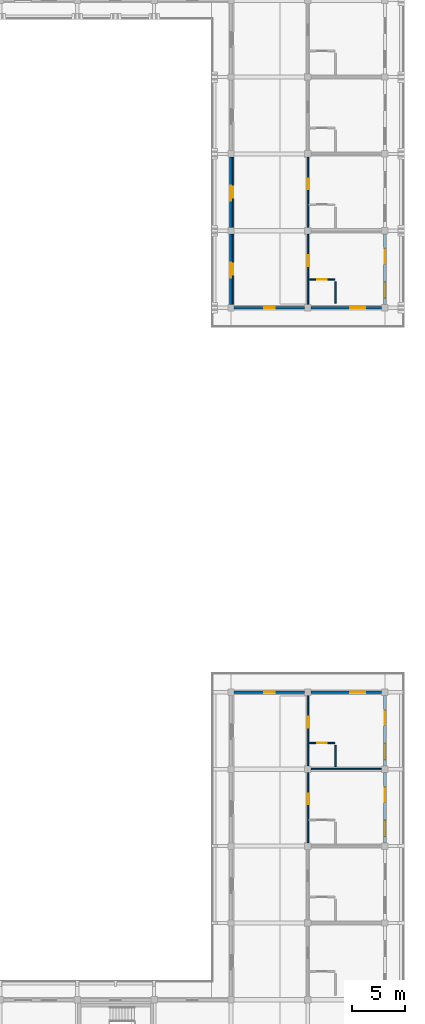
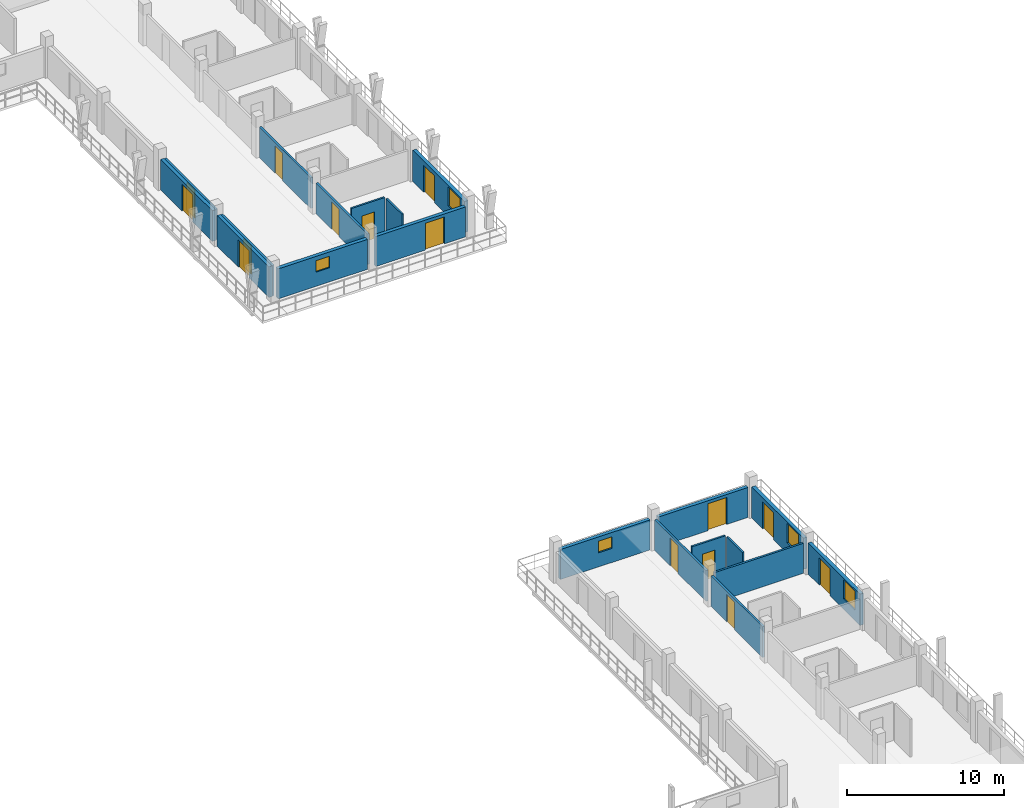
# One storey, part 56 of 78: 20 walls, 15 doors, 5 windows, 20 openings.
"""IFC4 building model written with IfcOpenShell, lengths in metres."""

from ifc_helpers import new_model, si_unit, direction, frame, frame_2d, origin, place, context, subcontext, project, spatial, rectangle, extrude, material, layer, layer_set, type_object, element, fill, save


model = new_model("IFC4")

# Units and contexts
model_context = context("Model", 3, precision=1e-05, world=origin(), true_north=direction((0.0, 1.0)))
body_context = subcontext(model_context, "Body", "Model", "MODEL_VIEW")
ifc_project = project(units=[si_unit("LENGTHUNIT", "METRE"), si_unit("AREAUNIT", "SQUARE_METRE"), si_unit("VOLUMEUNIT", "CUBIC_METRE"), si_unit("PLANEANGLEUNIT", "RADIAN"), si_unit("MASSUNIT", "GRAM", prefix="KILO")], contexts=[model_context])

# Site, building, storey
site_placement = place(None, origin())
site = spatial("IfcSite", under=ifc_project, at=site_placement, CompositionType="ELEMENT")
building_placement = place(site_placement, origin())
building = spatial("IfcBuilding", under=site, at=building_placement, Name="Suanplinth Sawtooth Commons", CompositionType="ELEMENT")
storey_placement = place(building_placement, frame((0.0, 0.0, 15.39990234375)))
storey = spatial("IfcBuildingStorey", under=building, at=storey_placement, Name="L04", CompositionType="ELEMENT", Elevation=15.39990234375)

# Wall, opening, window
ifc_material_1 = material(Name="Precast concrete C40/50", Category="concrete")
ifc_layer_1 = layer(ifc_material_1, 0.260009765625, Name="Insulated precast courtyard facade wall 260mm")
ifc_layer_set_1 = layer_set([ifc_layer_1], Name="Precast concrete C40/50")
wall_type_1 = type_object("IfcWallType", Name="W-EX02", PredefinedType="ELEMENTEDWALL", material=ifc_layer_set_1)
wall_1_placement = place(storey_placement, frame((173.10009765625, 79.199951171875, 0.0), z_axis=(0.0, 0.0, 1.0), x_axis=(1.0, 0.0, 0.0)))
wall_1 = element("IfcWall", 1, at=wall_1_placement, inside=storey, type_object=wall_type_1, Name="Facade Wall W-L04-B-S-24-11", PredefinedType="ELEMENTEDWALL", context=body_context, shape_type="SweptSolid", body=[
    extrude(rectangle(XDim=6.599853515625, YDim=0.260009765625, at=frame_2d((3.2998046875, 0.0))), origin(), (0.0, 0.0, 1.0), 2.335205078125),
])
opening_1_placement = place(wall_1_placement, frame((2.800048828125, 0.0, 1.10009765625)))
opening_1 = element("IfcOpeningElement", 2, at=opening_1_placement, cuts=wall_1, Name="Opening W0446", PredefinedType="OPENING", context=body_context, shape_type="SweptSolid", body=[
    extrude(rectangle(XDim=1.0, YDim=0.89990234375, at=frame_2d((0.5, 0.449951171875))), frame((0.0, 0.14501953125, 0.0), z_axis=(0.0, -1.0, 0.0), x_axis=(1.0, 0.0, 0.0)), (0.0, 0.0, 1.0), 0.289794921875),
])
ifc_material_2 = material(Name="Thermally broken aluminium and low-E double glazing", Category="aluminium")
window_type_1 = type_object("IfcWindowType", Name="WN-12", PartitioningType="SINGLE_PANEL", PredefinedType="WINDOW", material=ifc_material_2)
window_1_placement = place(opening_1_placement, origin())
window_1 = element("IfcWindow", 3, at=window_1_placement, inside=storey, type_object=window_type_1, Name="End Window L04-B-S-24-11", OverallHeight=0.89990234375, OverallWidth=1.0, PartitioningType="SINGLE_PANEL", PredefinedType="WINDOW", context=body_context, shape_type="SweptSolid", body=[
    extrude(rectangle(XDim=1.0, YDim=0.89990234375, at=frame_2d((0.5, 0.449951171875))), frame((0.0, 0.030029296875, 0.0), z_axis=(0.0, -1.0, 0.0), x_axis=(1.0, 0.0, 0.0)), (0.0, 0.0, 1.0), 0.06005859375),
])
fill(opening_1, window_1)

# Wall, opening, door
wall_2_placement = place(storey_placement, frame((172.800048828125, 79.5, 0.0), z_axis=(0.0, 0.0, 1.0), x_axis=(0.0, 1.0, 0.0)))
wall_2 = element("IfcWall", 4, at=wall_2_placement, inside=storey, type_object=wall_type_1, Name="Facade Wall W-L04-B-W-24-11", PredefinedType="ELEMENTEDWALL", context=body_context, shape_type="SweptSolid", body=[
    extrude(rectangle(XDim=6.60009765625, YDim=0.260009765625, at=frame_2d((3.300048828125, 0.0))), origin(), (0.0, 0.0, 1.0), 2.385009765625),
])
opening_2_placement = place(wall_2_placement, frame((2.5, 0.0, 0.0)))
opening_2 = element("IfcOpeningElement", 5, at=opening_2_placement, cuts=wall_2, Name="Opening ED0344", PredefinedType="OPENING", context=body_context, shape_type="SweptSolid", body=[
    extrude(rectangle(XDim=1.39990234375, YDim=2.10009765625, at=frame_2d((0.699951171875, 1.050048828125))), frame((0.0, 0.14501953125, 0.0), z_axis=(0.0, -1.0, 0.0), x_axis=(1.0, 0.0, 0.0)), (0.0, 0.0, 1.0), 0.289794921875),
])
ifc_material_3 = material(Name="Anodized aluminium and low-E glass", Category="aluminium")
door_type_1 = type_object("IfcDoorType", Name="SD-07", OperationType="SLIDING_TO_RIGHT", PredefinedType="DOOR", material=ifc_material_3)
door_1_placement = place(opening_2_placement, frame((1.39990234375, 0.0, 0.0), z_axis=(0.0, 0.0, 1.0), x_axis=(-1.0, 0.0, 0.0)))
door_1 = element("IfcDoor", 6, at=door_1_placement, inside=storey, type_object=door_type_1, Name="Courtyard Veranda Studio Balcony Door L04-B-11", OperationType="SLIDING_TO_RIGHT", OverallHeight=2.10009765625, OverallWidth=1.39990234375, PredefinedType="DOOR", context=body_context, shape_type="SweptSolid", body=[
    extrude(rectangle(XDim=1.39990234375, YDim=2.10009765625, at=frame_2d((0.699951171875, 1.050048828125))), frame((0.0, 0.02490234375, 0.0), z_axis=(0.0, -1.0, 0.0), x_axis=(1.0, 0.0, 0.0)), (0.0, 0.0, 1.0), 0.050048828125),
])
fill(opening_2, door_1)

wall_3_placement = place(storey_placement, frame((172.800048828125, 86.699951171875, 0.0), z_axis=(0.0, 0.0, 1.0), x_axis=(0.0, 1.0, 0.0)))
wall_3 = element("IfcWall", 7, at=wall_3_placement, inside=storey, type_object=wall_type_1, Name="Facade Wall W-L04-B-W-24-12", PredefinedType="ELEMENTEDWALL", context=body_context, shape_type="SweptSolid", body=[
    extrude(rectangle(XDim=6.60009765625, YDim=0.260009765625, at=frame_2d((3.300048828125, 0.0))), origin(), (0.0, 0.0, 1.0), 2.385009765625),
])
opening_3_placement = place(wall_3_placement, frame((2.5, 0.0, 0.0)))
opening_3 = element("IfcOpeningElement", 8, at=opening_3_placement, cuts=wall_3, Name="Opening ED0345", PredefinedType="OPENING", context=body_context, shape_type="SweptSolid", body=[
    extrude(rectangle(XDim=1.39990234375, YDim=2.10009765625, at=frame_2d((0.699951171875, 1.050048828125))), frame((0.0, 0.14501953125, 0.0), z_axis=(0.0, -1.0, 0.0), x_axis=(1.0, 0.0, 0.0)), (0.0, 0.0, 1.0), 0.289794921875),
])
door_2_placement = place(opening_3_placement, frame((1.39990234375, 0.0, 0.0), z_axis=(0.0, 0.0, 1.0), x_axis=(-1.0, 0.0, 0.0)))
door_2 = element("IfcDoor", 9, at=door_2_placement, inside=storey, type_object=door_type_1, Name="Courtyard Veranda Studio Balcony Door L04-B-12", OperationType="SLIDING_TO_RIGHT", OverallHeight=2.10009765625, OverallWidth=1.39990234375, PredefinedType="DOOR", context=body_context, shape_type="SweptSolid", body=[
    extrude(rectangle(XDim=1.39990234375, YDim=2.10009765625, at=frame_2d((0.699951171875, 1.050048828125))), frame((0.0, 0.02490234375, 0.0), z_axis=(0.0, -1.0, 0.0), x_axis=(1.0, 0.0, 0.0)), (0.0, 0.0, 1.0), 0.050048828125),
])
fill(opening_3, door_2)

wall_4_placement = place(storey_placement, frame((180.300048828125, 79.199951171875, 0.0), z_axis=(0.0, 0.0, 1.0), x_axis=(1.0, 0.0, 0.0)))
wall_4 = element("IfcWall", 10, at=wall_4_placement, inside=storey, type_object=wall_type_1, Name="Facade Wall W-L04-B-S-25-11", PredefinedType="ELEMENTEDWALL", context=body_context, shape_type="SweptSolid", body=[
    extrude(rectangle(XDim=6.599853515625, YDim=0.260009765625, at=frame_2d((3.2998046875, 0.0))), origin(), (0.0, 0.0, 1.0), 2.335205078125),
])
opening_4_placement = place(wall_4_placement, frame((3.64990234375, 0.0, 0.0)))
opening_4 = element("IfcOpeningElement", 11, at=opening_4_placement, cuts=wall_4, Name="Opening ED0349", PredefinedType="OPENING", context=body_context, shape_type="SweptSolid", body=[
    extrude(rectangle(XDim=1.39990234375, YDim=2.10009765625, at=frame_2d((0.699951171875, 1.050048828125))), frame((0.0, 0.14501953125, 0.0), z_axis=(0.0, -1.0, 0.0), x_axis=(1.0, 0.0, 0.0)), (0.0, 0.0, 1.0), 0.289794921875),
])
door_3_placement = place(opening_4_placement, frame((1.39990234375, 0.0, 0.0), z_axis=(0.0, 0.0, 1.0), x_axis=(-1.0, 0.0, 0.0)))
door_3 = element("IfcDoor", 12, at=door_3_placement, inside=storey, type_object=door_type_1, Name="End Balcony Sliding Door L04-B-S-25-11", OperationType="SLIDING_TO_RIGHT", OverallHeight=2.10009765625, OverallWidth=1.39990234375, PredefinedType="DOOR", context=body_context, shape_type="SweptSolid", body=[
    extrude(rectangle(XDim=1.39990234375, YDim=2.10009765625, at=frame_2d((0.699951171875, 1.050048828125))), frame((0.0, 0.02490234375, 0.0), z_axis=(0.0, -1.0, 0.0), x_axis=(1.0, 0.0, 0.0)), (0.0, 0.0, 1.0), 0.050048828125),
])
fill(opening_4, door_3)

# Wall, openings, door, window
wall_5_placement = place(storey_placement, frame((187.199951171875, 79.5, 0.0), z_axis=(0.0, 0.0, 1.0), x_axis=(0.0, 1.0, 0.0)))
wall_5 = element("IfcWall", 13, at=wall_5_placement, inside=storey, type_object=wall_type_1, Name="Facade Wall W-L04-B-E-25-11", PredefinedType="ELEMENTEDWALL", context=body_context, shape_type="SweptSolid", body=[
    extrude(rectangle(XDim=6.60009765625, YDim=0.260009765625, at=frame_2d((3.300048828125, 0.0))), origin(), (0.0, 0.0, 1.0), 2.43017578125),
])
opening_5_placement = place(wall_5_placement, frame((3.800048828125, 0.0, 0.0)))
opening_5 = element("IfcOpeningElement", 14, at=opening_5_placement, cuts=wall_5, Name="Opening ED0350", PredefinedType="OPENING", context=body_context, shape_type="SweptSolid", body=[
    extrude(rectangle(XDim=1.39990234375, YDim=2.10009765625, at=frame_2d((0.699951171875, 1.050048828125))), frame((0.0, 0.14501953125, 0.0), z_axis=(0.0, -1.0, 0.0), x_axis=(1.0, 0.0, 0.0)), (0.0, 0.0, 1.0), 0.289794921875),
])
opening_6_placement = place(wall_5_placement, frame((0.60009765625, 0.0, 0.81005859375)))
opening_6 = element("IfcOpeningElement", 15, at=opening_6_placement, cuts=wall_5, Name="Opening W0448", PredefinedType="OPENING", context=body_context, shape_type="SweptSolid", body=[
    extrude(rectangle(XDim=1.5, YDim=1.5, at=frame_2d((0.75, 0.75))), frame((0.0, 0.14501953125, 0.0), z_axis=(0.0, -1.0, 0.0), x_axis=(1.0, 0.0, 0.0)), (0.0, 0.0, 1.0), 0.289794921875),
])
door_4_placement = place(opening_5_placement, frame((1.39990234375, 0.0, 0.0), z_axis=(0.0, 0.0, 1.0), x_axis=(-1.0, 0.0, 0.0)))
door_4 = element("IfcDoor", 16, at=door_4_placement, inside=storey, type_object=door_type_1, Name="Wing Balcony Sliding Door L04-B-11", OperationType="SLIDING_TO_RIGHT", OverallHeight=2.10009765625, OverallWidth=1.39990234375, PredefinedType="DOOR", context=body_context, shape_type="SweptSolid", body=[
    extrude(rectangle(XDim=1.39990234375, YDim=2.10009765625, at=frame_2d((0.699951171875, 1.050048828125))), frame((0.0, 0.02490234375, 0.0), z_axis=(0.0, -1.0, 0.0), x_axis=(1.0, 0.0, 0.0)), (0.0, 0.0, 1.0), 0.050048828125),
])
fill(opening_5, door_4)
window_type_2 = type_object("IfcWindowType", Name="WN-02", PartitioningType="DOUBLE_PANEL_VERTICAL", PredefinedType="WINDOW", material=ifc_material_2)
window_2_placement = place(opening_6_placement, origin())
window_2 = element("IfcWindow", 17, at=window_2_placement, inside=storey, type_object=window_type_2, Name="Wing Window L04-B-11", OverallHeight=1.5, OverallWidth=1.5, PartitioningType="DOUBLE_PANEL_VERTICAL", PredefinedType="WINDOW", context=body_context, shape_type="SweptSolid", body=[
    extrude(rectangle(XDim=1.5, YDim=1.5, at=frame_2d((0.75, 0.75))), frame((0.0, 0.030029296875, 0.0), z_axis=(0.0, -1.0, 0.0), x_axis=(1.0, 0.0, 0.0)), (0.0, 0.0, 1.0), 0.06005859375),
])
fill(opening_6, window_2)

# Wall, opening, window
wall_6_placement = place(storey_placement, frame((173.10009765625, 43.199951171875, 0.0), z_axis=(0.0, 0.0, 1.0), x_axis=(1.0, 0.0, 0.0)))
wall_6 = element("IfcWall", 18, at=wall_6_placement, inside=storey, type_object=wall_type_1, Name="Facade Wall W-L04-C-N-24-5", PredefinedType="ELEMENTEDWALL", context=body_context, shape_type="SweptSolid", body=[
    extrude(rectangle(XDim=6.599853515625, YDim=0.260009765625, at=frame_2d((3.2998046875, 0.0))), origin(), (0.0, 0.0, 1.0), 2.335205078125),
])
opening_7_placement = place(wall_6_placement, frame((2.800048828125, 0.0, 1.10009765625)))
opening_7 = element("IfcOpeningElement", 19, at=opening_7_placement, cuts=wall_6, Name="Opening W0469", PredefinedType="OPENING", context=body_context, shape_type="SweptSolid", body=[
    extrude(rectangle(XDim=1.0, YDim=0.89990234375, at=frame_2d((0.5, 0.449951171875))), frame((0.0, 0.14501953125, 0.0), z_axis=(0.0, -1.0, 0.0), x_axis=(1.0, 0.0, 0.0)), (0.0, 0.0, 1.0), 0.289794921875),
])
window_3_placement = place(opening_7_placement, origin())
window_3 = element("IfcWindow", 20, at=window_3_placement, inside=storey, type_object=window_type_1, Name="End Window L04-C-N-24-5", OverallHeight=0.89990234375, OverallWidth=1.0, PartitioningType="SINGLE_PANEL", PredefinedType="WINDOW", context=body_context, shape_type="SweptSolid", body=[
    extrude(rectangle(XDim=1.0, YDim=0.89990234375, at=frame_2d((0.5, 0.449951171875))), frame((0.0, 0.030029296875, 0.0), z_axis=(0.0, -1.0, 0.0), x_axis=(1.0, 0.0, 0.0)), (0.0, 0.0, 1.0), 0.06005859375),
])
fill(opening_7, window_3)

# Wall, openings, door, window
wall_7_placement = place(storey_placement, frame((187.199951171875, 29.10009765625, 0.0), z_axis=(0.0, 0.0, 1.0), x_axis=(0.0, 1.0, 0.0)))
wall_7 = element("IfcWall", 21, at=wall_7_placement, inside=storey, type_object=wall_type_1, Name="Facade Wall W-L04-C-E-25-4", PredefinedType="ELEMENTEDWALL", context=body_context, shape_type="SweptSolid", body=[
    extrude(rectangle(XDim=6.599853515625, YDim=0.260009765625, at=frame_2d((3.2998046875, 0.0))), origin(), (0.0, 0.0, 1.0), 2.43017578125),
])
opening_8_placement = place(wall_7_placement, frame((3.800048828125, 0.0, 0.0)))
opening_8 = element("IfcOpeningElement", 22, at=opening_8_placement, cuts=wall_7, Name="Opening ED0376", PredefinedType="OPENING", context=body_context, shape_type="SweptSolid", body=[
    extrude(rectangle(XDim=1.39990234375, YDim=2.10009765625, at=frame_2d((0.699951171875, 1.050048828125))), frame((0.0, 0.14501953125, 0.0), z_axis=(0.0, -1.0, 0.0), x_axis=(1.0, 0.0, 0.0)), (0.0, 0.0, 1.0), 0.289794921875),
])
opening_9_placement = place(wall_7_placement, frame((0.60009765625, 0.0, 0.81005859375)))
opening_9 = element("IfcOpeningElement", 23, at=opening_9_placement, cuts=wall_7, Name="Opening W0474", PredefinedType="OPENING", context=body_context, shape_type="SweptSolid", body=[
    extrude(rectangle(XDim=1.5, YDim=1.5, at=frame_2d((0.75, 0.75))), frame((0.0, 0.14501953125, 0.0), z_axis=(0.0, -1.0, 0.0), x_axis=(1.0, 0.0, 0.0)), (0.0, 0.0, 1.0), 0.289794921875),
])
door_5_placement = place(opening_8_placement, frame((1.39990234375, 0.0, 0.0), z_axis=(0.0, 0.0, 1.0), x_axis=(-1.0, 0.0, 0.0)))
door_5 = element("IfcDoor", 24, at=door_5_placement, inside=storey, type_object=door_type_1, Name="Wing Balcony Sliding Door L04-C-4", OperationType="SLIDING_TO_RIGHT", OverallHeight=2.10009765625, OverallWidth=1.39990234375, PredefinedType="DOOR", context=body_context, shape_type="SweptSolid", body=[
    extrude(rectangle(XDim=1.39990234375, YDim=2.10009765625, at=frame_2d((0.699951171875, 1.050048828125))), frame((0.0, 0.02490234375, 0.0), z_axis=(0.0, -1.0, 0.0), x_axis=(1.0, 0.0, 0.0)), (0.0, 0.0, 1.0), 0.050048828125),
])
fill(opening_8, door_5)
window_4_placement = place(opening_9_placement, origin())
window_4 = element("IfcWindow", 25, at=window_4_placement, inside=storey, type_object=window_type_2, Name="Wing Window L04-C-4", OverallHeight=1.5, OverallWidth=1.5, PartitioningType="DOUBLE_PANEL_VERTICAL", PredefinedType="WINDOW", context=body_context, shape_type="SweptSolid", body=[
    extrude(rectangle(XDim=1.5, YDim=1.5, at=frame_2d((0.75, 0.75))), frame((0.0, 0.030029296875, 0.0), z_axis=(0.0, -1.0, 0.0), x_axis=(1.0, 0.0, 0.0)), (0.0, 0.0, 1.0), 0.06005859375),
])
fill(opening_9, window_4)

# Wall, opening, door
wall_8_placement = place(storey_placement, frame((180.300048828125, 43.199951171875, 0.0), z_axis=(0.0, 0.0, 1.0), x_axis=(1.0, 0.0, 0.0)))
wall_8 = element("IfcWall", 26, at=wall_8_placement, inside=storey, type_object=wall_type_1, Name="Facade Wall W-L04-C-N-25-5", PredefinedType="ELEMENTEDWALL", context=body_context, shape_type="SweptSolid", body=[
    extrude(rectangle(XDim=6.599853515625, YDim=0.260009765625, at=frame_2d((3.2998046875, 0.0))), origin(), (0.0, 0.0, 1.0), 2.335205078125),
])
opening_10_placement = place(wall_8_placement, frame((3.64990234375, 0.0, 0.0)))
opening_10 = element("IfcOpeningElement", 27, at=opening_10_placement, cuts=wall_8, Name="Opening ED0377", PredefinedType="OPENING", context=body_context, shape_type="SweptSolid", body=[
    extrude(rectangle(XDim=1.39990234375, YDim=2.10009765625, at=frame_2d((0.699951171875, 1.050048828125))), frame((0.0, 0.14501953125, 0.0), z_axis=(0.0, -1.0, 0.0), x_axis=(1.0, 0.0, 0.0)), (0.0, 0.0, 1.0), 0.289794921875),
])
door_6_placement = place(opening_10_placement, frame((1.39990234375, 0.0, 0.0), z_axis=(0.0, 0.0, 1.0), x_axis=(-1.0, 0.0, 0.0)))
door_6 = element("IfcDoor", 28, at=door_6_placement, inside=storey, type_object=door_type_1, Name="End Balcony Sliding Door L04-C-N-25-5", OperationType="SLIDING_TO_RIGHT", OverallHeight=2.10009765625, OverallWidth=1.39990234375, PredefinedType="DOOR", context=body_context, shape_type="SweptSolid", body=[
    extrude(rectangle(XDim=1.39990234375, YDim=2.10009765625, at=frame_2d((0.699951171875, 1.050048828125))), frame((0.0, 0.02490234375, 0.0), z_axis=(0.0, -1.0, 0.0), x_axis=(1.0, 0.0, 0.0)), (0.0, 0.0, 1.0), 0.050048828125),
])
fill(opening_10, door_6)

# Wall, openings, door, window
wall_9_placement = place(storey_placement, frame((187.199951171875, 36.300048828125, 0.0), z_axis=(0.0, 0.0, 1.0), x_axis=(0.0, 1.0, 0.0)))
wall_9 = element("IfcWall", 29, at=wall_9_placement, inside=storey, type_object=wall_type_1, Name="Facade Wall W-L04-C-E-25-5", PredefinedType="ELEMENTEDWALL", context=body_context, shape_type="SweptSolid", body=[
    extrude(rectangle(XDim=6.599853515625, YDim=0.260009765625, at=frame_2d((3.2998046875, 0.0))), origin(), (0.0, 0.0, 1.0), 2.43017578125),
])
opening_11_placement = place(wall_9_placement, frame((3.800048828125, 0.0, 0.0)))
opening_11 = element("IfcOpeningElement", 30, at=opening_11_placement, cuts=wall_9, Name="Opening ED0378", PredefinedType="OPENING", context=body_context, shape_type="SweptSolid", body=[
    extrude(rectangle(XDim=1.39990234375, YDim=2.10009765625, at=frame_2d((0.699951171875, 1.050048828125))), frame((0.0, 0.14501953125, 0.0), z_axis=(0.0, -1.0, 0.0), x_axis=(1.0, 0.0, 0.0)), (0.0, 0.0, 1.0), 0.289794921875),
])
opening_12_placement = place(wall_9_placement, frame((0.60009765625, 0.0, 0.81005859375)))
opening_12 = element("IfcOpeningElement", 31, at=opening_12_placement, cuts=wall_9, Name="Opening W0475", PredefinedType="OPENING", context=body_context, shape_type="SweptSolid", body=[
    extrude(rectangle(XDim=1.5, YDim=1.5, at=frame_2d((0.75, 0.75))), frame((0.0, 0.14501953125, 0.0), z_axis=(0.0, -1.0, 0.0), x_axis=(1.0, 0.0, 0.0)), (0.0, 0.0, 1.0), 0.289794921875),
])
door_7_placement = place(opening_11_placement, frame((1.39990234375, 0.0, 0.0), z_axis=(0.0, 0.0, 1.0), x_axis=(-1.0, 0.0, 0.0)))
door_7 = element("IfcDoor", 32, at=door_7_placement, inside=storey, type_object=door_type_1, Name="Wing Balcony Sliding Door L04-C-5", OperationType="SLIDING_TO_RIGHT", OverallHeight=2.10009765625, OverallWidth=1.39990234375, PredefinedType="DOOR", context=body_context, shape_type="SweptSolid", body=[
    extrude(rectangle(XDim=1.39990234375, YDim=2.10009765625, at=frame_2d((0.699951171875, 1.050048828125))), frame((0.0, 0.02490234375, 0.0), z_axis=(0.0, -1.0, 0.0), x_axis=(1.0, 0.0, 0.0)), (0.0, 0.0, 1.0), 0.050048828125),
])
fill(opening_11, door_7)
window_5_placement = place(opening_12_placement, origin())
window_5 = element("IfcWindow", 33, at=window_5_placement, inside=storey, type_object=window_type_2, Name="Wing Window L04-C-5", OverallHeight=1.5, OverallWidth=1.5, PartitioningType="DOUBLE_PANEL_VERTICAL", PredefinedType="WINDOW", context=body_context, shape_type="SweptSolid", body=[
    extrude(rectangle(XDim=1.5, YDim=1.5, at=frame_2d((0.75, 0.75))), frame((0.0, 0.030029296875, 0.0), z_axis=(0.0, -1.0, 0.0), x_axis=(1.0, 0.0, 0.0)), (0.0, 0.0, 1.0), 0.06005859375),
])
fill(opening_12, window_5)

# Wall, opening, door
ifc_layer_2 = layer(ifc_material_1, 0.159912109375, Name="Fire-rated corridor and lobby wall 160mm")
ifc_layer_set_2 = layer_set([ifc_layer_2], Name="Precast concrete C40/50")
wall_type_2 = type_object("IfcWallType", Name="W-FW01", PredefinedType="PARTITIONING", material=ifc_layer_set_2)
wall_10_placement = place(storey_placement, frame((180.0, 79.530029296875, 0.0), z_axis=(0.0, 0.0, 1.0), x_axis=(0.0, 1.0, 0.0)))
wall_10 = element("IfcWall", 34, at=wall_10_placement, inside=storey, type_object=wall_type_2, Name="W-B-L04-L01-COR", PredefinedType="PARTITIONING", context=body_context, shape_type="SweptSolid", body=[
    extrude(rectangle(XDim=6.5400390625, YDim=0.159912109375, at=frame_2d((3.27001953125, 0.0))), origin(), (0.0, 0.0, 1.0), 2.385009765625),
])
opening_13_placement = place(wall_10_placement, frame((3.570068359375, 0.0, 0.0)))
opening_13 = element("IfcOpeningElement", 35, at=opening_13_placement, cuts=wall_10, Name="Opening FD1122", PredefinedType="OPENING", context=body_context, shape_type="SweptSolid", body=[
    extrude(rectangle(XDim=1.0, YDim=2.14990234375, at=frame_2d((0.5, 1.074951171875))), frame((0.0, 0.0947265625, 0.0), z_axis=(0.0, -1.0, 0.0), x_axis=(1.0, 0.0, 0.0)), (0.0, 0.0, 1.0), 0.189697265625),
])
ifc_material_4 = material(Name="Teak hardwood fire-rated door assembly", Category="wood")
door_type_2 = type_object("IfcDoorType", Name="FD-03", OperationType="NOTDEFINED", PredefinedType="DOOR", material=ifc_material_4)
door_8_placement = place(opening_13_placement, frame((1.0, 0.0, 0.0), z_axis=(0.0, 0.0, 1.0), x_axis=(-1.0, 0.0, 0.0)))
door_8 = element("IfcDoor", 36, at=door_8_placement, inside=storey, type_object=door_type_2, Name="Wing Unit Entrance Door FD1122", OperationType="SINGLE_SWING_RIGHT", OverallHeight=2.14990234375, OverallWidth=1.0, PredefinedType="DOOR", context=body_context, shape_type="SweptSolid", body=[
    extrude(rectangle(XDim=1.0, YDim=2.14990234375, at=frame_2d((0.5, 1.074951171875))), frame((0.0, 0.02490234375, 0.0), z_axis=(0.0, -1.0, 0.0), x_axis=(1.0, 0.0, 0.0)), (0.0, 0.0, 1.0), 0.050048828125),
])
fill(opening_13, door_8)

wall_11_placement = place(storey_placement, frame((173.0, 79.530029296875, 0.0), z_axis=(0.0, 0.0, 1.0), x_axis=(0.0, 1.0, 0.0)))
wall_11 = element("IfcWall", 37, at=wall_11_placement, inside=storey, type_object=wall_type_2, Name="W-B-L04-LEGCOURTROOM-35-COR", PredefinedType="PARTITIONING", context=body_context, shape_type="SweptSolid", body=[
    extrude(rectangle(XDim=6.5400390625, YDim=0.159912109375, at=frame_2d((3.27001953125, 0.0))), origin(), (0.0, 0.0, 1.0), 2.385009765625),
])
opening_14_placement = place(wall_11_placement, frame((2.760009765625, 0.0, 0.0)))
opening_14 = element("IfcOpeningElement", 38, at=opening_14_placement, cuts=wall_11, Name="Opening D1124", PredefinedType="OPENING", context=body_context, shape_type="SweptSolid", body=[
    extrude(rectangle(XDim=1.02001953125, YDim=2.179931640625, at=frame_2d((0.510009765625, 1.08984375))), frame((0.0, 0.0947265625, 0.0), z_axis=(0.0, -1.0, 0.0), x_axis=(1.0, 0.0, 0.0)), (0.0, 0.0, 1.0), 0.189697265625),
])
ifc_material_5 = material(Name="Teak hardwood", Category="wood")
door_type_3 = type_object("IfcDoorType", Name="D-16", OperationType="NOTDEFINED", PredefinedType="DOOR", material=ifc_material_5)
door_9_placement = place(opening_14_placement, origin())
door_9 = element("IfcDoor", 39, at=door_9_placement, inside=storey, type_object=door_type_3, Name="Veranda Studio Door D1124", OperationType="SINGLE_SWING_RIGHT", OverallHeight=2.179931640625, OverallWidth=1.02001953125, PredefinedType="DOOR", context=body_context, shape_type="SweptSolid", body=[
    extrude(rectangle(XDim=1.02001953125, YDim=2.179931640625, at=frame_2d((0.510009765625, 1.08984375))), frame((0.0, 0.02490234375, 0.0), z_axis=(0.0, -1.0, 0.0), x_axis=(1.0, 0.0, 0.0)), (0.0, 0.0, 1.0), 0.050048828125),
])
fill(opening_14, door_9)

wall_12_placement = place(storey_placement, frame((180.0, 86.72998046875, 0.0), z_axis=(0.0, 0.0, 1.0), x_axis=(0.0, 1.0, 0.0)))
wall_12 = element("IfcWall", 40, at=wall_12_placement, inside=storey, type_object=wall_type_2, Name="W-B-L04-L02-COR", PredefinedType="PARTITIONING", context=body_context, shape_type="SweptSolid", body=[
    extrude(rectangle(XDim=6.5400390625, YDim=0.159912109375, at=frame_2d((3.27001953125, 0.0))), origin(), (0.0, 0.0, 1.0), 2.385009765625),
])
opening_15_placement = place(wall_12_placement, frame((3.570068359375, 0.0, 0.0)))
opening_15 = element("IfcOpeningElement", 41, at=opening_15_placement, cuts=wall_12, Name="Opening FD1125", PredefinedType="OPENING", context=body_context, shape_type="SweptSolid", body=[
    extrude(rectangle(XDim=1.0, YDim=2.14990234375, at=frame_2d((0.5, 1.074951171875))), frame((0.0, 0.0947265625, 0.0), z_axis=(0.0, -1.0, 0.0), x_axis=(1.0, 0.0, 0.0)), (0.0, 0.0, 1.0), 0.189697265625),
])
door_10_placement = place(opening_15_placement, frame((1.0, 0.0, 0.0), z_axis=(0.0, 0.0, 1.0), x_axis=(-1.0, 0.0, 0.0)))
door_10 = element("IfcDoor", 42, at=door_10_placement, inside=storey, type_object=door_type_2, Name="Wing Unit Entrance Door FD1125", OperationType="SINGLE_SWING_LEFT", OverallHeight=2.14990234375, OverallWidth=1.0, PredefinedType="DOOR", context=body_context, shape_type="SweptSolid", body=[
    extrude(rectangle(XDim=1.0, YDim=2.14990234375, at=frame_2d((0.5, 1.074951171875))), frame((0.0, 0.02490234375, 0.0), z_axis=(0.0, -1.0, 0.0), x_axis=(1.0, 0.0, 0.0)), (0.0, 0.0, 1.0), 0.050048828125),
])
fill(opening_15, door_10)

wall_13_placement = place(storey_placement, frame((173.0, 86.72998046875, 0.0), z_axis=(0.0, 0.0, 1.0), x_axis=(0.0, 1.0, 0.0)))
wall_13 = element("IfcWall", 43, at=wall_13_placement, inside=storey, type_object=wall_type_2, Name="W-B-L04-LEGCOURTROOM-37-COR", PredefinedType="PARTITIONING", context=body_context, shape_type="SweptSolid", body=[
    extrude(rectangle(XDim=6.5400390625, YDim=0.159912109375, at=frame_2d((3.27001953125, 0.0))), origin(), (0.0, 0.0, 1.0), 2.385009765625),
])
opening_16_placement = place(wall_13_placement, frame((2.760009765625, 0.0, 0.0)))
opening_16 = element("IfcOpeningElement", 44, at=opening_16_placement, cuts=wall_13, Name="Opening D1127", PredefinedType="OPENING", context=body_context, shape_type="SweptSolid", body=[
    extrude(rectangle(XDim=1.02001953125, YDim=2.179931640625, at=frame_2d((0.510009765625, 1.08984375))), frame((0.0, 0.0947265625, 0.0), z_axis=(0.0, -1.0, 0.0), x_axis=(1.0, 0.0, 0.0)), (0.0, 0.0, 1.0), 0.189697265625),
])
door_11_placement = place(opening_16_placement, origin())
door_11 = element("IfcDoor", 45, at=door_11_placement, inside=storey, type_object=door_type_3, Name="Veranda Studio Door D1127", OperationType="SINGLE_SWING_LEFT", OverallHeight=2.179931640625, OverallWidth=1.02001953125, PredefinedType="DOOR", context=body_context, shape_type="SweptSolid", body=[
    extrude(rectangle(XDim=1.02001953125, YDim=2.179931640625, at=frame_2d((0.510009765625, 1.08984375))), frame((0.0, 0.02490234375, 0.0), z_axis=(0.0, -1.0, 0.0), x_axis=(1.0, 0.0, 0.0)), (0.0, 0.0, 1.0), 0.050048828125),
])
fill(opening_16, door_11)

wall_14_placement = place(storey_placement, frame((180.0, 29.1298828125, 0.0), z_axis=(0.0, 0.0, 1.0), x_axis=(0.0, 1.0, 0.0)))
wall_14 = element("IfcWall", 46, at=wall_14_placement, inside=storey, type_object=wall_type_2, Name="W-C-L04-L03-COR", PredefinedType="PARTITIONING", context=body_context, shape_type="SweptSolid", body=[
    extrude(rectangle(XDim=6.5400390625, YDim=0.159912109375, at=frame_2d((3.27001953125, 0.0))), origin(), (0.0, 0.0, 1.0), 2.385009765625),
])
opening_17_placement = place(wall_14_placement, frame((3.570068359375, 0.0, 0.0)))
opening_17 = element("IfcOpeningElement", 47, at=opening_17_placement, cuts=wall_14, Name="Opening FD1165", PredefinedType="OPENING", context=body_context, shape_type="SweptSolid", body=[
    extrude(rectangle(XDim=1.0, YDim=2.14990234375, at=frame_2d((0.5, 1.074951171875))), frame((0.0, 0.0947265625, 0.0), z_axis=(0.0, -1.0, 0.0), x_axis=(1.0, 0.0, 0.0)), (0.0, 0.0, 1.0), 0.189697265625),
])
door_12_placement = place(opening_17_placement, frame((1.0, 0.0, 0.0), z_axis=(0.0, 0.0, 1.0), x_axis=(-1.0, 0.0, 0.0)))
door_12 = element("IfcDoor", 48, at=door_12_placement, inside=storey, type_object=door_type_2, Name="Wing Unit Entrance Door FD1165", OperationType="SINGLE_SWING_LEFT", OverallHeight=2.14990234375, OverallWidth=1.0, PredefinedType="DOOR", context=body_context, shape_type="SweptSolid", body=[
    extrude(rectangle(XDim=1.0, YDim=2.14990234375, at=frame_2d((0.5, 1.074951171875))), frame((0.0, 0.02490234375, 0.0), z_axis=(0.0, -1.0, 0.0), x_axis=(1.0, 0.0, 0.0)), (0.0, 0.0, 1.0), 0.050048828125),
])
fill(opening_17, door_12)

wall_15_placement = place(storey_placement, frame((180.0, 36.330078125, 0.0), z_axis=(0.0, 0.0, 1.0), x_axis=(0.0, 1.0, 0.0)))
wall_15 = element("IfcWall", 49, at=wall_15_placement, inside=storey, type_object=wall_type_2, Name="W-C-L04-L04-COR", PredefinedType="PARTITIONING", context=body_context, shape_type="SweptSolid", body=[
    extrude(rectangle(XDim=6.5400390625, YDim=0.159912109375, at=frame_2d((3.27001953125, 0.0))), origin(), (0.0, 0.0, 1.0), 2.385009765625),
])
opening_18_placement = place(wall_15_placement, frame((3.570068359375, 0.0, 0.0)))
opening_18 = element("IfcOpeningElement", 50, at=opening_18_placement, cuts=wall_15, Name="Opening FD1168", PredefinedType="OPENING", context=body_context, shape_type="SweptSolid", body=[
    extrude(rectangle(XDim=1.0, YDim=2.14990234375, at=frame_2d((0.5, 1.074951171875))), frame((0.0, 0.0947265625, 0.0), z_axis=(0.0, -1.0, 0.0), x_axis=(1.0, 0.0, 0.0)), (0.0, 0.0, 1.0), 0.189697265625),
])
door_13_placement = place(opening_18_placement, frame((1.0, 0.0, 0.0), z_axis=(0.0, 0.0, 1.0), x_axis=(-1.0, 0.0, 0.0)))
door_13 = element("IfcDoor", 51, at=door_13_placement, inside=storey, type_object=door_type_2, Name="Wing Unit Entrance Door FD1168", OperationType="SINGLE_SWING_RIGHT", OverallHeight=2.14990234375, OverallWidth=1.0, PredefinedType="DOOR", context=body_context, shape_type="SweptSolid", body=[
    extrude(rectangle(XDim=1.0, YDim=2.14990234375, at=frame_2d((0.5, 1.074951171875))), frame((0.0, 0.02490234375, 0.0), z_axis=(0.0, -1.0, 0.0), x_axis=(1.0, 0.0, 0.0)), (0.0, 0.0, 1.0), 0.050048828125),
])
fill(opening_18, door_13)

# Wall
ifc_layer_3 = layer(ifc_material_1, 0.14990234375, Name="Acoustic precast party demising wall 150mm")
ifc_layer_set_3 = layer_set([ifc_layer_3], Name="Precast concrete C40/50")
wall_type_3 = type_object("IfcWallType", Name="W-FW02", PredefinedType="PARTITIONING", material=ifc_layer_set_3)
wall_16_placement = place(storey_placement, frame((180.330078125, 36.0, 0.0), z_axis=(0.0, 0.0, 1.0), x_axis=(1.0, 0.0, 0.0)))
element("IfcWall", 52, at=wall_16_placement, inside=storey, type_object=wall_type_3, Name="W-C-L04-L03-PTY", PredefinedType="PARTITIONING", context=body_context, shape_type="SweptSolid", body=[
    extrude(rectangle(XDim=6.5400390625, YDim=0.14990234375, at=frame_2d((3.27001953125, 0.0))), origin(), (0.0, 0.0, 1.0), 2.335205078125),
])

# Wall, opening, door
ifc_material_6 = material(Name="Gypsum plasterboard on steel stud", Category="steel")
ifc_layer_4 = layer(ifc_material_6, 0.1298828125, Name="Moisture-resistant bathroom partition 130mm")
ifc_layer_set_4 = layer_set([ifc_layer_4], Name="Gypsum plasterboard on steel stud")
wall_type_4 = type_object("IfcWallType", Name="W-PT02", PredefinedType="PARTITIONING", material=ifc_layer_set_4)
wall_17_placement = place(storey_placement, frame((180.080078125, 81.844970703125, 0.0), z_axis=(0.0, 0.0, 1.0), x_axis=(1.0, 0.0, 0.0)))
wall_17 = element("IfcWall", 53, at=wall_17_placement, inside=storey, type_object=wall_type_4, Name="W-B-L04-L01-BTH1", PredefinedType="PARTITIONING", context=body_context, shape_type="SweptSolid", body=[
    extrude(rectangle(XDim=2.449951171875, YDim=0.1298828125, at=frame_2d((1.22509765625, 0.0))), origin(), (0.0, 0.0, 1.0), 2.9501953125),
])
opening_19_placement = place(wall_17_placement, frame((0.77490234375, 0.0, 0.0)))
opening_19 = element("IfcOpeningElement", 54, at=opening_19_placement, cuts=wall_17, Name="Opening D1123", PredefinedType="OPENING", context=body_context, shape_type="SweptSolid", body=[
    extrude(rectangle(XDim=0.89990234375, YDim=2.10009765625, at=frame_2d((0.449951171875, 1.050048828125))), frame((0.0, 0.079833984375, 0.0), z_axis=(0.0, -1.0, 0.0), x_axis=(1.0, 0.0, 0.0)), (0.0, 0.0, 1.0), 0.15966796875),
])
door_type_4 = type_object("IfcDoorType", Name="D-01", OperationType="NOTDEFINED", PredefinedType="DOOR", material=ifc_material_5)
door_14_placement = place(opening_19_placement, frame((0.89990234375, 0.0, 0.0), z_axis=(0.0, 0.0, 1.0), x_axis=(-1.0, 0.0, 0.0)))
door_14 = element("IfcDoor", 55, at=door_14_placement, inside=storey, type_object=door_type_4, Name="Bathroom Door D1123", OperationType="SINGLE_SWING_LEFT", OverallHeight=2.10009765625, OverallWidth=0.89990234375, PredefinedType="DOOR", context=body_context, shape_type="SweptSolid", body=[
    extrude(rectangle(XDim=0.89990234375, YDim=2.10009765625, at=frame_2d((0.449951171875, 1.050048828125))), frame((0.0, 0.02490234375, 0.0), z_axis=(0.0, -1.0, 0.0), x_axis=(1.0, 0.0, 0.0)), (0.0, 0.0, 1.0), 0.050048828125),
])
fill(opening_19, door_14)

# Wall
wall_18_placement = place(storey_placement, frame((182.594970703125, 79.6298828125, 0.0), z_axis=(0.0, 0.0, 1.0), x_axis=(0.0, 1.0, 0.0)))
element("IfcWall", 56, at=wall_18_placement, inside=storey, type_object=wall_type_4, Name="W-B-L04-L01-BTH2", PredefinedType="PARTITIONING", context=body_context, shape_type="SweptSolid", body=[
    extrude(rectangle(XDim=2.0, YDim=0.1298828125, at=frame_2d((1.0, 0.0))), origin(), (0.0, 0.0, 1.0), 2.9501953125),
])

# Wall, opening, door
wall_19_placement = place(storey_placement, frame((180.080078125, 38.445068359375, 0.0), z_axis=(0.0, 0.0, 1.0), x_axis=(1.0, 0.0, 0.0)))
wall_19 = element("IfcWall", 57, at=wall_19_placement, inside=storey, type_object=wall_type_4, Name="W-C-L04-L04-BTH1", PredefinedType="PARTITIONING", context=body_context, shape_type="SweptSolid", body=[
    extrude(rectangle(XDim=2.449951171875, YDim=0.1298828125, at=frame_2d((1.22509765625, 0.0))), origin(), (0.0, 0.0, 1.0), 2.9501953125),
])
opening_20_placement = place(wall_19_placement, frame((0.77490234375, 0.0, 0.0)))
opening_20 = element("IfcOpeningElement", 58, at=opening_20_placement, cuts=wall_19, Name="Opening D1169", PredefinedType="OPENING", context=body_context, shape_type="SweptSolid", body=[
    extrude(rectangle(XDim=0.89990234375, YDim=2.10009765625, at=frame_2d((0.449951171875, 1.050048828125))), frame((0.0, 0.079833984375, 0.0), z_axis=(0.0, -1.0, 0.0), x_axis=(1.0, 0.0, 0.0)), (0.0, 0.0, 1.0), 0.15966796875),
])
door_15_placement = place(opening_20_placement, frame((0.89990234375, 0.0, 0.0), z_axis=(0.0, 0.0, 1.0), x_axis=(-1.0, 0.0, 0.0)))
door_15 = element("IfcDoor", 59, at=door_15_placement, inside=storey, type_object=door_type_4, Name="Bathroom Door D1169", OperationType="SINGLE_SWING_LEFT", OverallHeight=2.10009765625, OverallWidth=0.89990234375, PredefinedType="DOOR", context=body_context, shape_type="SweptSolid", body=[
    extrude(rectangle(XDim=0.89990234375, YDim=2.10009765625, at=frame_2d((0.449951171875, 1.050048828125))), frame((0.0, 0.02490234375, 0.0), z_axis=(0.0, -1.0, 0.0), x_axis=(1.0, 0.0, 0.0)), (0.0, 0.0, 1.0), 0.050048828125),
])
fill(opening_20, door_15)

# Wall
wall_20_placement = place(storey_placement, frame((182.594970703125, 36.22998046875, 0.0), z_axis=(0.0, 0.0, 1.0), x_axis=(0.0, 1.0, 0.0)))
element("IfcWall", 60, at=wall_20_placement, inside=storey, type_object=wall_type_4, Name="W-C-L04-L04-BTH2", PredefinedType="PARTITIONING", context=body_context, shape_type="SweptSolid", body=[
    extrude(rectangle(XDim=2.0, YDim=0.1298828125, at=frame_2d((1.0, 0.0))), origin(), (0.0, 0.0, 1.0), 2.9501953125),
])

save(model, "model.ifc")
